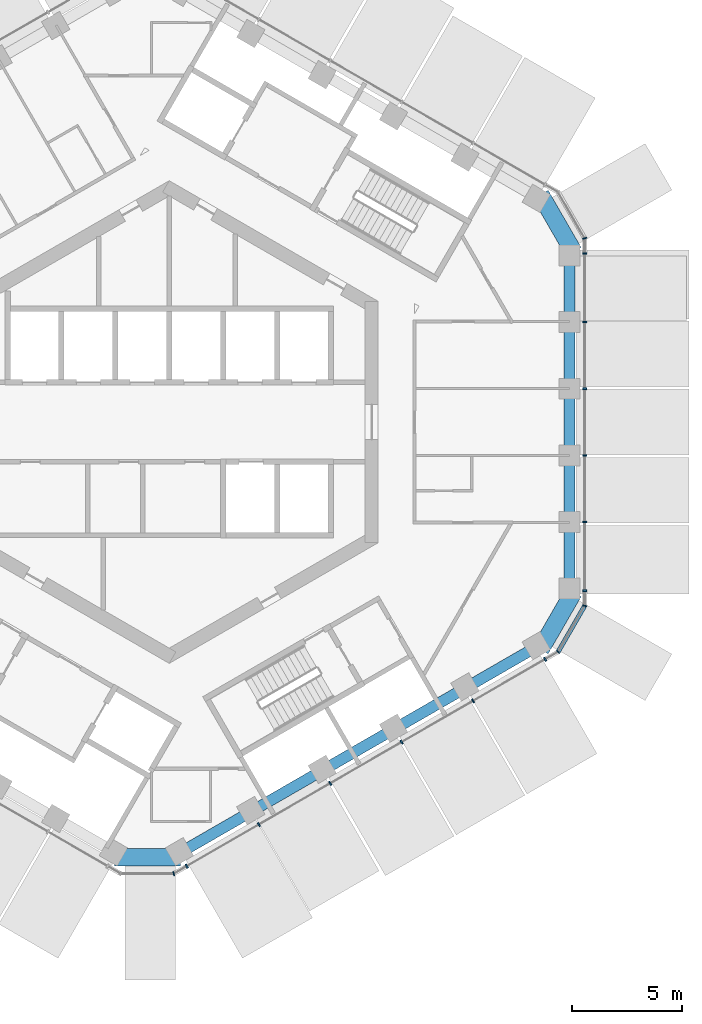
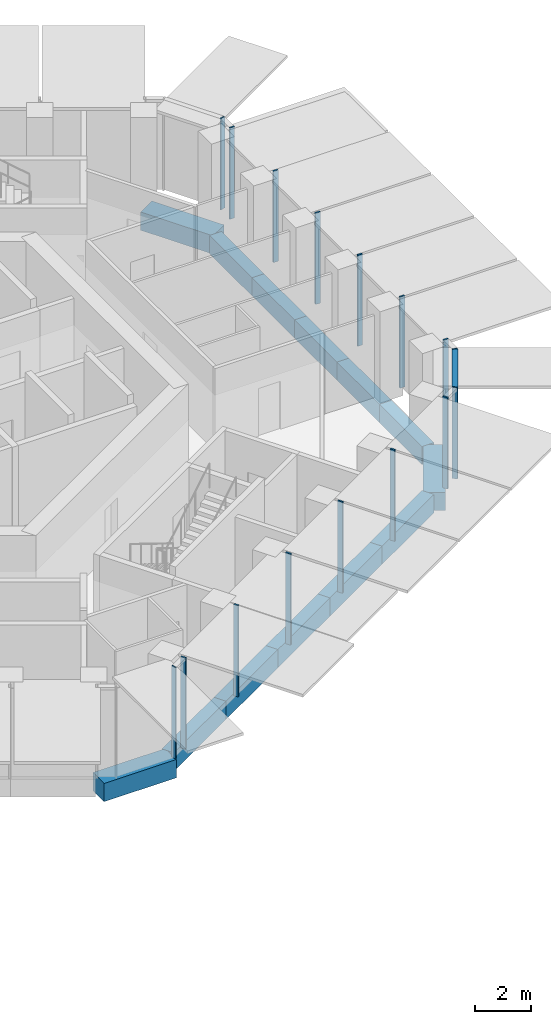
# One storey, part 5 of 24: 17 members, 13 beams, 5 elements without a shape of their own.
"""IFC4 building model written with IfcOpenShell, lengths in metres."""

from ifc_helpers import new_model, si_unit, direction, frame, origin, origin_2d, place, context, subcontext, project, spatial, rectangle, extrude, material, layer, layer_set, material_profile, profile_set, type_object, element, aggregate, save


model = new_model("IFC4")

# Units and contexts
model_context = context("Model", 3, precision=1e-05, world=origin(), true_north=direction((0.0, 1.0)))
body_context = subcontext(model_context, "Body", "Model", "MODEL_VIEW")
ifc_project = project(units=[si_unit("LENGTHUNIT", "METRE"), si_unit("AREAUNIT", "SQUARE_METRE"), si_unit("VOLUMEUNIT", "CUBIC_METRE"), si_unit("PLANEANGLEUNIT", "RADIAN"), si_unit("MASSUNIT", "GRAM", prefix="KILO")], contexts=[model_context])

# Site, building, storey
site_placement = place(None, origin())
site = spatial("IfcSite", under=ifc_project, at=site_placement, CompositionType="ELEMENT")
building_placement = place(site_placement, origin())
building = spatial("IfcBuilding", under=site, at=building_placement, Name="Ayvan Gate Tower", CompositionType="ELEMENT")
storey_placement = place(building_placement, frame((0.0, 0.0, 210.10009765625)))
storey = spatial("IfcBuildingStorey", under=building, at=storey_placement, Name="L56", CompositionType="ELEMENT", Elevation=210.10009765625)

# Beams
ifc_material_1 = material(Name="Concrete C40/50", Category="concrete")
ifc_material_profile_1 = material_profile(ifc_material_1, rectangle(XDim=0.800048828125, YDim=0.800048828125, at=origin_2d()), Name="RC 800x800")
ifc_profile_set_1 = profile_set([ifc_material_profile_1], Name="Concrete C40/50")
beam_type_1 = type_object("IfcBeamType", Name="Corner spandrel beam RC 800x800 C40/50", PredefinedType="BEAM", material=ifc_profile_set_1)
for number, where, z_axis, x_axis, name in (
    (1, (18.376953125, 7.737060546875, -0.800048828125), (-0.499990139034, 0.866031096941, 0.0), (-0.866031096941, -0.499990139034, 0.0), "SB-L56-6"),
    (2, (-2.488037109375, -19.78369140625, -0.800048828125), (1.0, 0.0, 0.0), (0.0, 1.0, 0.0), "SB-L56-30"),
    (3, (16.876953125, -10.335205078125, -0.800048828125), (0.499990139034, 0.866031096941, 0.0), (-0.866031096941, 0.499990139034, 0.0), "SB-L56-36"),
):
    element("IfcBeam", number, at=place(storey_placement, frame(where, z_axis=z_axis, x_axis=x_axis)), inside=storey, type_object=beam_type_1, Name=name, PredefinedType="BEAM", context=body_context, shape_type="SweptSolid", body=[
        extrude(rectangle(XDim=0.800048828125, YDim=0.800048828125, at=origin_2d()), origin(), (0.0, 0.0, 1.0), 3.0),
    ])
ifc_material_profile_2 = material_profile(ifc_material_1, rectangle(XDim=0.5, YDim=0.800048828125, at=origin_2d()), Name="RC 500x800")
ifc_profile_set_2 = profile_set([ifc_material_profile_2], Name="Concrete C40/50")
beam_type_2 = type_object("IfcBeamType", Name="Spandrel beam RC 500x800 C40/50", PredefinedType="BEAM", material=ifc_profile_set_2)
beam_1_placement = place(storey_placement, frame((18.1865234375, -7.627197265625, -0.800048828125), z_axis=(0.0, 1.0, 0.0), x_axis=(-1.0, 0.0, 0.0)))
element("IfcBeam", 4, at=beam_1_placement, inside=storey, type_object=beam_type_2, Name="SB-L56-1", PredefinedType="BEAM", context=body_context, shape_type="SweptSolid", body=[
    extrude(rectangle(XDim=0.5, YDim=0.800048828125, at=origin_2d()), origin(), (0.0, 0.0, 1.0), 3.051025390625),
])
for number, where, z_axis, x_axis, name in (
    (5, (18.1865234375, -4.576171875, -0.800048828125), (0.0, 1.0, 0.0), (-1.0, 0.0, 0.0), "SB-L56-2"),
    (6, (18.1865234375, -1.525390625, -0.800048828125), (0.0, 1.0, 0.0), (-1.0, 0.0, 0.0), "SB-L56-3"),
    (7, (18.1865234375, 1.525390625, -0.800048828125), (0.0, 1.0, 0.0), (-1.0, 0.0, 0.0), "SB-L56-4"),
):
    element("IfcBeam", number, at=place(storey_placement, frame(where, z_axis=z_axis, x_axis=x_axis)), inside=storey, type_object=beam_type_2, Name=name, PredefinedType="BEAM", context=body_context, shape_type="SweptSolid", body=[
        extrude(rectangle(XDim=0.5, YDim=0.800048828125, at=origin_2d()), origin(), (0.0, 0.0, 1.0), 3.05078125),
    ])
beam_2_placement = place(storey_placement, frame((18.1865234375, 4.576171875, -0.800048828125), z_axis=(0.0, 1.0, 0.0), x_axis=(-1.0, 0.0, 0.0)))
element("IfcBeam", 8, at=beam_2_placement, inside=storey, type_object=beam_type_2, Name="SB-L56-5", PredefinedType="BEAM", context=body_context, shape_type="SweptSolid", body=[
    extrude(rectangle(XDim=0.5, YDim=0.800048828125, at=origin_2d()), origin(), (0.0, 0.0, 1.0), 3.051025390625),
])
beam_3_placement = place(storey_placement, frame((0.511962890625, -19.5634765625, -0.800048828125), z_axis=(0.866022320763, 0.500005339912, 0.0), x_axis=(-0.500005339912, 0.866022320763, 0.0)))
element("IfcBeam", 9, at=beam_3_placement, inside=storey, type_object=beam_type_2, Name="SB-L56-31", PredefinedType="BEAM", context=body_context, shape_type="SweptSolid", body=[
    extrude(rectangle(XDim=0.5, YDim=0.800048828125, at=origin_2d()), origin(), (0.0, 0.0, 1.0), 3.7353515625),
])
beam_4_placement = place(storey_placement, frame((3.746826171875, -17.69580078125, -0.800048828125), z_axis=(0.866038659768, 0.499977039259, 0.0), x_axis=(-0.499977039259, 0.866038659768, 0.0)))
element("IfcBeam", 10, at=beam_4_placement, inside=storey, type_object=beam_type_2, Name="SB-L56-32", PredefinedType="BEAM", context=body_context, shape_type="SweptSolid", body=[
    extrude(rectangle(XDim=0.5, YDim=0.800048828125, at=origin_2d()), origin(), (0.0, 0.0, 1.0), 3.735595703125),
])
beam_5_placement = place(storey_placement, frame((6.98193359375, -15.828125, -0.800048828125), z_axis=(0.866022320763, 0.500005339912, 0.0), x_axis=(-0.500005339912, 0.866022320763, 0.0)))
element("IfcBeam", 11, at=beam_5_placement, inside=storey, type_object=beam_type_2, Name="SB-L56-33", PredefinedType="BEAM", context=body_context, shape_type="SweptSolid", body=[
    extrude(rectangle(XDim=0.5, YDim=0.800048828125, at=origin_2d()), origin(), (0.0, 0.0, 1.0), 3.7353515625),
])
beam_6_placement = place(storey_placement, frame((10.216796875, -13.96044921875, -0.800048828125), z_axis=(0.866050622288, 0.499956317727, 0.0), x_axis=(-0.499956317727, 0.866050622288, 0.0)))
element("IfcBeam", 12, at=beam_6_placement, inside=storey, type_object=beam_type_2, Name="SB-L56-34", PredefinedType="BEAM", context=body_context, shape_type="SweptSolid", body=[
    extrude(rectangle(XDim=0.5, YDim=0.800048828125, at=origin_2d()), origin(), (0.0, 0.0, 1.0), 3.735107421875),
])
beam_7_placement = place(storey_placement, frame((13.45166015625, -12.093017578125, -0.800048828125), z_axis=(0.866022320763, 0.500005339912, 0.0), x_axis=(-0.500005339912, 0.866022320763, 0.0)))
element("IfcBeam", 13, at=beam_7_placement, inside=storey, type_object=beam_type_2, Name="SB-L56-35", PredefinedType="BEAM", context=body_context, shape_type="SweptSolid", body=[
    extrude(rectangle(XDim=0.5, YDim=0.800048828125, at=origin_2d()), origin(), (0.0, 0.0, 1.0), 3.7353515625),
])

# Curtain wall, members
ifc_material_2 = material(Name="Bronze anodised aluminium", Category="aluminium")
ifc_layer_1 = layer(ifc_material_2, 0.199951171875)
ifc_layer_set_1 = layer_set([ifc_layer_1], Name="Bronze anodised aluminium")
curtain_wall_type_1 = type_object("IfcCurtainWallType", Name="Stick curtain wall CW-2", PredefinedType="NOTDEFINED", material=ifc_layer_set_1)
curtain_wall_1_placement = place(storey_placement, origin())
curtain_wall_1 = element("IfcCurtainWall", 14, at=curtain_wall_1_placement, inside=storey, type_object=curtain_wall_type_1, Name="Stick curtain wall CW-2 L56", PredefinedType="NOTDEFINED")
ifc_material_profile_3 = material_profile(ifc_material_2, rectangle(XDim=0.199951171875, YDim=0.070068359375, at=origin_2d()), Name="Stick curtain wall CW-2 mullion 200 x 70")
ifc_profile_set_3 = profile_set([ifc_material_profile_3], Name="Bronze anodised aluminium")
member_type_1 = type_object("IfcMemberType", Name="Stick curtain wall CW-2 mullion 200 x 70", PredefinedType="MULLION", material=ifc_profile_set_3)
member_1_placement = place(storey_placement, frame((0.798583984375, -20.1904296875, 0.0), z_axis=(0.0, 0.0, 1.0), x_axis=(0.5, -0.866025403784, 0.0)))
member_1 = element("IfcMember", 15, at=member_1_placement, type_object=member_type_1, Name="CW-2 mullion 1", PredefinedType="MULLION", context=body_context, shape_type="SweptSolid", body=[
    extrude(rectangle(XDim=0.199951171875, YDim=0.070068359375, at=origin_2d()), origin(), (0.0, 0.0, 1.0), 4.0),
])
member_2_placement = place(storey_placement, frame((4.07568359375, -18.29833984375, 0.0), z_axis=(0.0, 0.0, 1.0), x_axis=(0.5, -0.866025403784, 0.0)))
member_2 = element("IfcMember", 16, at=member_2_placement, type_object=member_type_1, Name="CW-2 mullion 2", PredefinedType="MULLION", context=body_context, shape_type="SweptSolid", body=[
    extrude(rectangle(XDim=0.199951171875, YDim=0.070068359375, at=origin_2d()), origin(), (0.0, 0.0, 1.0), 4.0),
])
member_3_placement = place(storey_placement, frame((7.31982421875, -16.42529296875, 0.0), z_axis=(0.0, 0.0, 1.0), x_axis=(0.5, -0.866025403784, 0.0)))
member_3 = element("IfcMember", 17, at=member_3_placement, type_object=member_type_1, Name="CW-2 mullion 3", PredefinedType="MULLION", context=body_context, shape_type="SweptSolid", body=[
    extrude(rectangle(XDim=0.199951171875, YDim=0.070068359375, at=origin_2d()), origin(), (0.0, 0.0, 1.0), 4.0),
])
member_4_placement = place(storey_placement, frame((10.564697265625, -14.5517578125, 0.0), z_axis=(0.0, 0.0, 1.0), x_axis=(0.5, -0.866025403784, 0.0)))
member_4 = element("IfcMember", 18, at=member_4_placement, type_object=member_type_1, Name="CW-2 mullion 4", PredefinedType="MULLION", context=body_context, shape_type="SweptSolid", body=[
    extrude(rectangle(XDim=0.199951171875, YDim=0.070068359375, at=origin_2d()), origin(), (0.0, 0.0, 1.0), 4.0),
])
member_5_placement = place(storey_placement, frame((13.809814453125, -12.67822265625, 0.0), z_axis=(0.0, 0.0, 1.0), x_axis=(0.5, -0.866025403784, 0.0)))
member_5 = element("IfcMember", 19, at=member_5_placement, type_object=member_type_1, Name="CW-2 mullion 5", PredefinedType="MULLION", context=body_context, shape_type="SweptSolid", body=[
    extrude(rectangle(XDim=0.199951171875, YDim=0.070068359375, at=origin_2d()), origin(), (0.0, 0.0, 1.0), 4.0),
])
member_6_placement = place(storey_placement, frame((17.0859375, -10.786865234375, 0.0), z_axis=(0.0, 0.0, 1.0), x_axis=(0.5, -0.866025403784, 0.0)))
member_6 = element("IfcMember", 20, at=member_6_placement, type_object=member_type_1, Name="CW-2 mullion 6", PredefinedType="MULLION", context=body_context, shape_type="SweptSolid", body=[
    extrude(rectangle(XDim=0.199951171875, YDim=0.070068359375, at=origin_2d()), origin(), (0.0, 0.0, 1.0), 4.0),
])
aggregate(curtain_wall_1, [member_1, member_2, member_3, member_4, member_5, member_6])

curtain_wall_2_placement = place(storey_placement, origin())
curtain_wall_2 = element("IfcCurtainWall", 21, at=curtain_wall_2_placement, inside=storey, type_object=curtain_wall_type_1, Name="Stick curtain wall CW-2 L56", PredefinedType="NOTDEFINED")
member_7_placement = place(storey_placement, frame((18.886474609375, -7.668212890625, 0.0), z_axis=(0.0, 0.0, 1.0), x_axis=(1.0, 0.0, 0.0)))
member_7 = element("IfcMember", 22, at=member_7_placement, type_object=member_type_1, Name="CW-2 mullion 1", PredefinedType="MULLION", context=body_context, shape_type="SweptSolid", body=[
    extrude(rectangle(XDim=0.199951171875, YDim=0.070068359375, at=origin_2d()), origin(), (0.0, 0.0, 1.0), 4.0),
])
member_8_placement = place(storey_placement, frame((18.886474609375, -4.542236328125, 0.0), z_axis=(0.0, 0.0, 1.0), x_axis=(1.0, 0.0, 0.0)))
member_8 = element("IfcMember", 23, at=member_8_placement, type_object=member_type_1, Name="CW-2 mullion 2", PredefinedType="MULLION", context=body_context, shape_type="SweptSolid", body=[
    extrude(rectangle(XDim=0.199951171875, YDim=0.070068359375, at=origin_2d()), origin(), (0.0, 0.0, 1.0), 4.0),
])
member_9_placement = place(storey_placement, frame((18.886474609375, -1.51416015625, 0.0), z_axis=(0.0, 0.0, 1.0), x_axis=(1.0, 0.0, 0.0)))
member_9 = element("IfcMember", 24, at=member_9_placement, type_object=member_type_1, Name="CW-2 mullion 3", PredefinedType="MULLION", context=body_context, shape_type="SweptSolid", body=[
    extrude(rectangle(XDim=0.199951171875, YDim=0.070068359375, at=origin_2d()), origin(), (0.0, 0.0, 1.0), 4.0),
])
member_10_placement = place(storey_placement, frame((18.886474609375, 1.513916015625, 0.0), z_axis=(0.0, 0.0, 1.0), x_axis=(1.0, 0.0, 0.0)))
member_10 = element("IfcMember", 25, at=member_10_placement, type_object=member_type_1, Name="CW-2 mullion 4", PredefinedType="MULLION", context=body_context, shape_type="SweptSolid", body=[
    extrude(rectangle(XDim=0.199951171875, YDim=0.070068359375, at=origin_2d()), origin(), (0.0, 0.0, 1.0), 4.0),
])
member_11_placement = place(storey_placement, frame((18.886474609375, 4.542724609375, 0.0), z_axis=(0.0, 0.0, 1.0), x_axis=(1.0, 0.0, 0.0)))
member_11 = element("IfcMember", 26, at=member_11_placement, type_object=member_type_1, Name="CW-2 mullion 5", PredefinedType="MULLION", context=body_context, shape_type="SweptSolid", body=[
    extrude(rectangle(XDim=0.199951171875, YDim=0.070068359375, at=origin_2d()), origin(), (0.0, 0.0, 1.0), 4.0),
])
member_12_placement = place(storey_placement, frame((18.886474609375, 7.668212890625, 0.0), z_axis=(0.0, 0.0, 1.0), x_axis=(1.0, 0.0, 0.0)))
member_12 = element("IfcMember", 27, at=member_12_placement, type_object=member_type_1, Name="CW-2 mullion 6", PredefinedType="MULLION", context=body_context, shape_type="SweptSolid", body=[
    extrude(rectangle(XDim=0.199951171875, YDim=0.070068359375, at=origin_2d()), origin(), (0.0, 0.0, 1.0), 4.0),
])
aggregate(curtain_wall_2, [member_7, member_8, member_9, member_10, member_11, member_12])

# Curtain wall, member
ifc_layer_2 = layer(ifc_material_2, 0.199951171875)
ifc_layer_set_2 = layer_set([ifc_layer_2], Name="Bronze anodised aluminium")
curtain_wall_type_2 = type_object("IfcCurtainWallType", Name="Stick curtain wall CW-6", PredefinedType="NOTDEFINED", material=ifc_layer_set_2)
curtain_wall_3_placement = place(storey_placement, origin())
curtain_wall_3 = element("IfcCurtainWall", 28, at=curtain_wall_3_placement, inside=storey, type_object=curtain_wall_type_2, Name="Stick curtain wall CW-6 L56", PredefinedType="NOTDEFINED")
ifc_material_profile_4 = material_profile(ifc_material_2, rectangle(XDim=0.199951171875, YDim=0.050048828125, at=origin_2d()), Name="Stick curtain wall CW-6 mullion 200 x 50")
ifc_profile_set_4 = profile_set([ifc_material_profile_4], Name="Bronze anodised aluminium")
member_type_2 = type_object("IfcMemberType", Name="Stick curtain wall CW-6 mullion 200 x 50", PredefinedType="MULLION", material=ifc_profile_set_4)
member_13_placement = place(storey_placement, frame((0.205322265625, -20.53271484375, 0.0), z_axis=(0.0, 0.0, 1.0), x_axis=(0.258819045103, -0.965925826289, 0.0)))
member_13 = element("IfcMember", 29, at=member_13_placement, type_object=member_type_2, Name="CW-6 mullion 3", PredefinedType="MULLION", context=body_context, shape_type="SweptSolid", body=[
    extrude(rectangle(XDim=0.199951171875, YDim=0.050048828125, at=origin_2d()), origin(), (0.0, 0.0, 1.0), 4.0),
])
aggregate(curtain_wall_3, [member_13])

# Curtain wall, members
curtain_wall_4_placement = place(storey_placement, origin())
curtain_wall_4 = element("IfcCurtainWall", 30, at=curtain_wall_4_placement, inside=storey, type_object=curtain_wall_type_2, Name="Stick curtain wall CW-6 L56", PredefinedType="NOTDEFINED")
member_14_placement = place(storey_placement, frame((17.67919921875, -10.4443359375, 0.0), z_axis=(0.0, 0.0, 1.0), x_axis=(0.707106781187, -0.707106781187, 0.0)))
member_14 = element("IfcMember", 31, at=member_14_placement, type_object=member_type_2, Name="CW-6 mullion 2", PredefinedType="MULLION", context=body_context, shape_type="SweptSolid", body=[
    extrude(rectangle(XDim=0.199951171875, YDim=0.050048828125, at=origin_2d()), origin(), (0.0, 0.0, 1.0), 4.0),
])
member_15_placement = place(storey_placement, frame((18.886474609375, -8.353271484375, 0.0), z_axis=(0.0, 0.0, 1.0), x_axis=(0.965925826289, -0.258819045103, 0.0)))
member_15 = element("IfcMember", 32, at=member_15_placement, type_object=member_type_2, Name="CW-6 mullion 3", PredefinedType="MULLION", context=body_context, shape_type="SweptSolid", body=[
    extrude(rectangle(XDim=0.199951171875, YDim=0.050048828125, at=origin_2d()), origin(), (0.0, 0.0, 1.0), 4.0),
])

# Curtain wall, member
curtain_wall_5_placement = place(storey_placement, origin())
curtain_wall_5 = element("IfcCurtainWall", 33, at=curtain_wall_5_placement, inside=storey, type_object=curtain_wall_type_2, Name="Stick curtain wall CW-6 L56", PredefinedType="NOTDEFINED")
member_16_placement = place(storey_placement, frame((18.886474609375, 8.353271484375, 0.0), z_axis=(0.0, 0.0, 1.0), x_axis=(0.965925826289, 0.258819045103, 0.0)))
member_16 = element("IfcMember", 34, at=member_16_placement, type_object=member_type_2, Name="CW-6 mullion 2", PredefinedType="MULLION", context=body_context, shape_type="SweptSolid", body=[
    extrude(rectangle(XDim=0.199951171875, YDim=0.050048828125, at=origin_2d()), origin(), (0.0, 0.0, 1.0), 4.0),
])
aggregate(curtain_wall_5, [member_16])

# Member
ifc_material_profile_5 = material_profile(ifc_material_2, rectangle(XDim=0.199951171875, YDim=0.1201171875, at=origin_2d()), Name="Stick curtain wall CW-6 transom 200 x 120")
ifc_profile_set_5 = profile_set([ifc_material_profile_5], Name="Bronze anodised aluminium")
member_type_3 = type_object("IfcMemberType", Name="Stick curtain wall CW-6 transom 200 x 120", PredefinedType="USERDEFINED", material=ifc_profile_set_5)
member_17_placement = place(storey_placement, frame((17.691650390625, -10.422607421875, 3.93994140625), z_axis=(0.500014398087, 0.866017090885, 0.0), x_axis=(-0.866017090885, 0.500014398087, 0.0)))
member_17 = element("IfcMember", 35, at=member_17_placement, type_object=member_type_3, Name="CW-6 transom 2", ObjectType="TRANSOM", PredefinedType="USERDEFINED", context=body_context, shape_type="SweptSolid", body=[
    extrude(rectangle(XDim=0.199951171875, YDim=0.1201171875, at=origin_2d()), origin(), (0.0, 0.0, 1.0), 2.36474609375),
])

aggregate(curtain_wall_4, [member_14, member_15, member_17])

save(model, "model.ifc")
